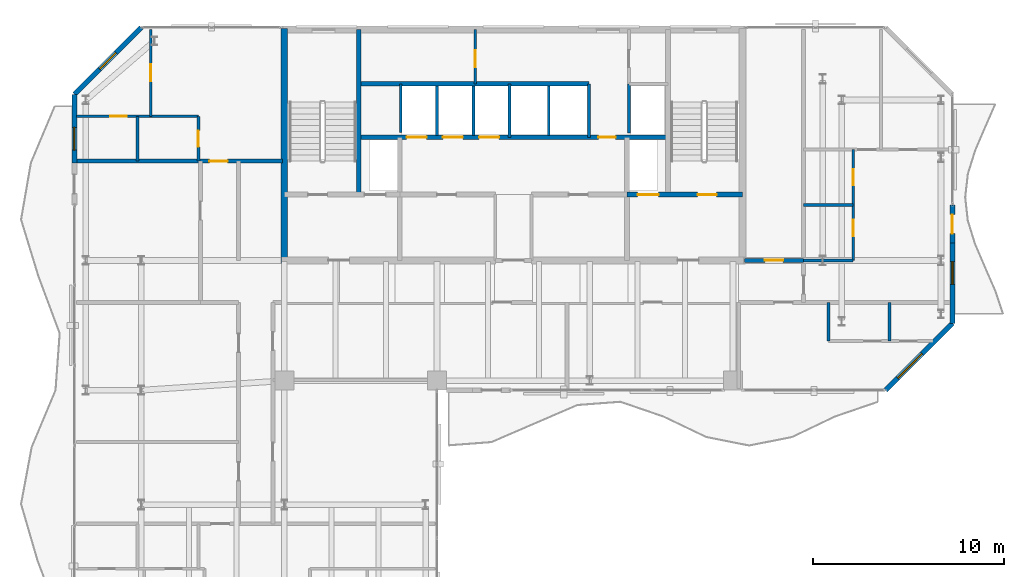
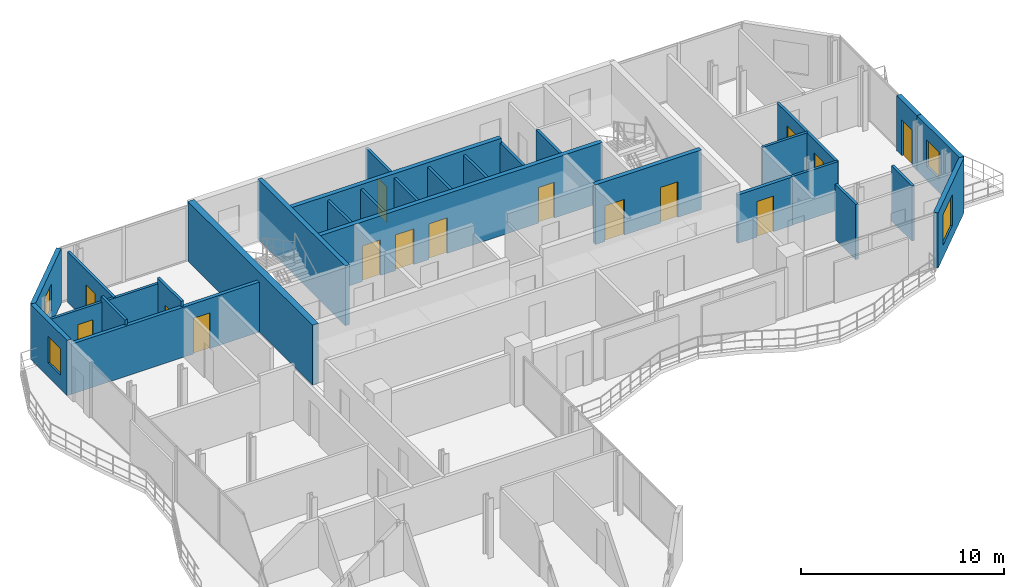
# One storey, part 19 of 23: 29 walls, 15 doors, 4 windows, 19 openings.
"""IFC4 building model written with IfcOpenShell, lengths in metres."""

from ifc_helpers import new_model, si_unit, direction, frame, frame_2d, origin, place, context, subcontext, project, spatial, rectangle, extrude, material, layer, layer_set, type_object, element, fill, save


model = new_model("IFC4")

# Units and contexts
model_context = context("Model", 3, precision=1e-05, world=origin(), true_north=direction((0.0, 1.0)))
body_context = subcontext(model_context, "Body", "Model", "MODEL_VIEW")
ifc_project = project(units=[si_unit("LENGTHUNIT", "METRE"), si_unit("AREAUNIT", "SQUARE_METRE"), si_unit("VOLUMEUNIT", "CUBIC_METRE"), si_unit("PLANEANGLEUNIT", "RADIAN"), si_unit("MASSUNIT", "GRAM", prefix="KILO")], contexts=[model_context])

# Site, building, storey
site_placement = place(None, origin())
site = spatial("IfcSite", under=ifc_project, at=site_placement, CompositionType="ELEMENT")
building_placement = place(site_placement, origin())
building = spatial("IfcBuilding", under=site, at=building_placement, Name="Catumbela Crestline Tower", CompositionType="ELEMENT")
storey_placement = place(building_placement, frame((0.0, 0.0, 197.4)))
storey = spatial("IfcBuildingStorey", under=building, at=storey_placement, Name="L51", CompositionType="ELEMENT", Elevation=197.4)

# Wall
ifc_material_1 = material(Name="Concrete C50/60", Category="concrete")
ifc_layer_1 = layer(ifc_material_1, 0.25, Name="Concrete C50/60")
ifc_layer_set_1 = layer_set([ifc_layer_1], Name="Concrete C50/60")
wall_type_1 = type_object("IfcWallType", Name="CW-250D", PredefinedType="SHEAR", material=ifc_layer_set_1)
wall_1_placement = place(storey_placement, frame((19.9, 34.25, 0.0), z_axis=(0.0, 0.0, 1.0), x_axis=(0.0, 1.0, 0.0)))
element("IfcWall", 1, at=wall_1_placement, inside=storey, type_object=wall_type_1, Name="L51 Structural Core Shear Wall WWEB", PredefinedType="SHEAR", context=body_context, shape_type="SweptSolid", body=[
    extrude(rectangle(XDim=8.65, YDim=0.25, at=frame_2d((4.325, 0.0))), origin(), (0.0, 0.0, 1.0), 3.6),
])

# Wall, openings, doors
wall_2_placement = place(storey_placement, frame((33.95, 34.25, 0.0), z_axis=(0.0, 0.0, 1.0), x_axis=(1.0, 0.0, 0.0)))
wall_2 = element("IfcWall", 2, at=wall_2_placement, inside=storey, type_object=wall_type_1, Name="L51 Structural Core Shear Wall ST2S", PredefinedType="SHEAR", context=body_context, shape_type="SweptSolid", body=[
    extrude(rectangle(XDim=6.05, YDim=0.25, at=frame_2d((3.025, 0.0))), origin(), (0.0, 0.0, 1.0), 3.6),
])
opening_1_placement = place(wall_2_placement, frame((3.7, 0.0, 0.0)))
opening_1 = element("IfcOpeningElement", 3, at=opening_1_placement, cuts=wall_2, Name="Opening DF9-100", PredefinedType="OPENING", context=body_context, shape_type="SweptSolid", body=[
    extrude(rectangle(XDim=1.0, YDim=2.15, at=frame_2d((0.5, 1.075))), frame((0.0, 0.135, 0.0), z_axis=(0.0, -1.0, 0.0), x_axis=(1.0, 0.0, 0.0)), (0.0, 0.0, 1.0), 0.27),
])
opening_2_placement = place(wall_2_placement, frame((0.55, 0.0, 0.0)))
opening_2 = element("IfcOpeningElement", 4, at=opening_2_placement, cuts=wall_2, Name="Opening LD-110", PredefinedType="OPENING", context=body_context, shape_type="SweptSolid", body=[
    extrude(rectangle(XDim=1.1, YDim=2.15, at=frame_2d((0.55, 1.075))), frame((0.0, 0.135, 0.0), z_axis=(0.0, -1.0, 0.0), x_axis=(1.0, 0.0, 0.0)), (0.0, 0.0, 1.0), 0.27),
])
ifc_material_2 = material(Name="Stainless steel EN 1.4401", Category="steel")
door_type_1 = type_object("IfcDoorType", Name="DF9-100", OperationType="NOTDEFINED", PredefinedType="DOOR", material=ifc_material_2)
door_1_placement = place(opening_1_placement, origin())
door_1 = element("IfcDoor", 5, at=door_1_placement, inside=storey, type_object=door_type_1, Name="L51 Interior Door DR-L51-ST02", OperationType="SINGLE_SWING_RIGHT", OverallHeight=2.15, OverallWidth=1.0, PredefinedType="DOOR", context=body_context, shape_type="SweptSolid", body=[
    extrude(rectangle(XDim=1.0, YDim=2.15, at=frame_2d((0.5, 1.075))), frame((0.0, 0.025, 0.0), z_axis=(0.0, -1.0, 0.0), x_axis=(1.0, 0.0, 0.0)), (0.0, 0.0, 1.0), 0.05),
])
fill(opening_1, door_1)
door_type_2 = type_object("IfcDoorType", Name="LD-110", OperationType="NOTDEFINED", PredefinedType="DOOR", material=ifc_material_2)
door_2_placement = place(opening_2_placement, origin())
door_2 = element("IfcDoor", 6, at=door_2_placement, inside=storey, type_object=door_type_2, Name="L51 Lift Landing Sliding Door FL-02", OperationType="DOUBLE_DOOR_SLIDING", OverallHeight=2.15, OverallWidth=1.1, PredefinedType="DOOR", context=body_context, shape_type="SweptSolid", body=[
    extrude(rectangle(XDim=1.1, YDim=2.15, at=frame_2d((0.55, 1.075))), frame((0.0, 0.025, 0.0), z_axis=(0.0, -1.0, 0.0), x_axis=(1.0, 0.0, 0.0)), (0.0, 0.0, 1.0), 0.05),
])
fill(opening_2, door_2)

wall_3_placement = place(storey_placement, frame((19.9, 37.25, 0.0), z_axis=(0.0, 0.0, 1.0), x_axis=(1.0, 0.0, 0.0)))
wall_3 = element("IfcWall", 7, at=wall_3_placement, inside=storey, type_object=wall_type_1, Name="L51 Structural Core Shear Wall LIFTN", PredefinedType="SHEAR", context=body_context, shape_type="SweptSolid", body=[
    extrude(rectangle(XDim=16.2, YDim=0.25, at=frame_2d((8.1, 0.0))), origin(), (0.0, 0.0, 1.0), 3.6),
])
opening_3_placement = place(wall_3_placement, frame((12.55, 0.0, 0.0)))
opening_3 = element("IfcOpeningElement", 8, at=opening_3_placement, cuts=wall_3, Name="Opening DF9-090", PredefinedType="OPENING", context=body_context, shape_type="SweptSolid", body=[
    extrude(rectangle(XDim=0.9, YDim=2.15, at=frame_2d((0.45, 1.075))), frame((0.0, 0.135, 0.0), z_axis=(0.0, -1.0, 0.0), x_axis=(1.0, 0.0, 0.0)), (0.0, 0.0, 1.0), 0.27),
])
opening_4_placement = place(wall_3_placement, frame((2.5, 0.0, 0.0)))
opening_4 = element("IfcOpeningElement", 9, at=opening_4_placement, cuts=wall_3, Name="Opening LD-105", PredefinedType="OPENING", context=body_context, shape_type="SweptSolid", body=[
    extrude(rectangle(XDim=1.05, YDim=2.15, at=frame_2d((0.525, 1.075))), frame((0.0, 0.135, 0.0), z_axis=(0.0, -1.0, 0.0), x_axis=(1.0, 0.0, 0.0)), (0.0, 0.0, 1.0), 0.27),
])
opening_5_placement = place(wall_3_placement, frame((4.4, 0.0, 0.0)))
opening_5 = element("IfcOpeningElement", 10, at=opening_5_placement, cuts=wall_3, Name="Opening LD-105", PredefinedType="OPENING", context=body_context, shape_type="SweptSolid", body=[
    extrude(rectangle(XDim=1.05, YDim=2.15, at=frame_2d((0.525, 1.075))), frame((0.0, 0.135, 0.0), z_axis=(0.0, -1.0, 0.0), x_axis=(1.0, 0.0, 0.0)), (0.0, 0.0, 1.0), 0.27),
])
opening_6_placement = place(wall_3_placement, frame((6.3, 0.0, 0.0)))
opening_6 = element("IfcOpeningElement", 11, at=opening_6_placement, cuts=wall_3, Name="Opening LD-105", PredefinedType="OPENING", context=body_context, shape_type="SweptSolid", body=[
    extrude(rectangle(XDim=1.05, YDim=2.15, at=frame_2d((0.525, 1.075))), frame((0.0, 0.135, 0.0), z_axis=(0.0, -1.0, 0.0), x_axis=(1.0, 0.0, 0.0)), (0.0, 0.0, 1.0), 0.27),
])
door_type_3 = type_object("IfcDoorType", Name="DF9-090", OperationType="NOTDEFINED", PredefinedType="DOOR", material=ifc_material_2)
door_3_placement = place(opening_3_placement, origin())
door_3 = element("IfcDoor", 12, at=door_3_placement, inside=storey, type_object=door_type_3, Name="L51 Interior Door DR-L51-CPAS1", OperationType="SINGLE_SWING_LEFT", OverallHeight=2.15, OverallWidth=0.9, PredefinedType="DOOR", context=body_context, shape_type="SweptSolid", body=[
    extrude(rectangle(XDim=0.9, YDim=2.15, at=frame_2d((0.45, 1.075))), frame((0.0, 0.025, 0.0), z_axis=(0.0, -1.0, 0.0), x_axis=(1.0, 0.0, 0.0)), (0.0, 0.0, 1.0), 0.05),
])
fill(opening_3, door_3)
door_type_4 = type_object("IfcDoorType", Name="LD-105", OperationType="NOTDEFINED", PredefinedType="DOOR", material=ifc_material_2)
door_4_placement = place(opening_4_placement, origin())
door_4 = element("IfcDoor", 13, at=door_4_placement, inside=storey, type_object=door_type_4, Name="L51 Lift Landing Sliding Door PL-H1", OperationType="DOUBLE_DOOR_SLIDING", OverallHeight=2.15, OverallWidth=1.05, PredefinedType="DOOR", context=body_context, shape_type="SweptSolid", body=[
    extrude(rectangle(XDim=1.05, YDim=2.15, at=frame_2d((0.525, 1.075))), frame((0.0, 0.025, 0.0), z_axis=(0.0, -1.0, 0.0), x_axis=(1.0, 0.0, 0.0)), (0.0, 0.0, 1.0), 0.05),
])
fill(opening_4, door_4)
door_5_placement = place(opening_5_placement, origin())
door_5 = element("IfcDoor", 14, at=door_5_placement, inside=storey, type_object=door_type_4, Name="L51 Lift Landing Sliding Door PL-H2", OperationType="DOUBLE_DOOR_SLIDING", OverallHeight=2.15, OverallWidth=1.05, PredefinedType="DOOR", context=body_context, shape_type="SweptSolid", body=[
    extrude(rectangle(XDim=1.05, YDim=2.15, at=frame_2d((0.525, 1.075))), frame((0.0, 0.025, 0.0), z_axis=(0.0, -1.0, 0.0), x_axis=(1.0, 0.0, 0.0)), (0.0, 0.0, 1.0), 0.05),
])
fill(opening_5, door_5)
door_6_placement = place(opening_6_placement, origin())
door_6 = element("IfcDoor", 15, at=door_6_placement, inside=storey, type_object=door_type_4, Name="L51 Lift Landing Sliding Door PL-H3", OperationType="DOUBLE_DOOR_SLIDING", OverallHeight=2.15, OverallWidth=1.05, PredefinedType="DOOR", context=body_context, shape_type="SweptSolid", body=[
    extrude(rectangle(XDim=1.05, YDim=2.15, at=frame_2d((0.525, 1.075))), frame((0.0, 0.025, 0.0), z_axis=(0.0, -1.0, 0.0), x_axis=(1.0, 0.0, 0.0)), (0.0, 0.0, 1.0), 0.05),
])
fill(opening_6, door_6)

# Walls
wall_4_placement = place(storey_placement, frame((19.9, 40.05, 0.0), z_axis=(0.0, 0.0, 1.0), x_axis=(1.0, 0.0, 0.0)))
element("IfcWall", 16, at=wall_4_placement, inside=storey, type_object=wall_type_1, Name="L51 Structural Core Shear Wall COREN", PredefinedType="SHEAR", context=body_context, shape_type="SweptSolid", body=[
    extrude(rectangle(XDim=12.05, YDim=0.25, at=frame_2d((6.025, 0.0))), origin(), (0.0, 0.0, 1.0), 3.6),
])
ifc_layer_2 = layer(ifc_material_1, 0.35, Name="Concrete C50/60")
ifc_layer_set_2 = layer_set([ifc_layer_2], Name="Concrete C50/60")
wall_type_2 = type_object("IfcWallType", Name="CW-350B", PredefinedType="SHEAR", material=ifc_layer_set_2)
wall_5_placement = place(storey_placement, frame((16.0, 30.65, 0.0), z_axis=(0.0, 0.0, 1.0), x_axis=(0.0, 1.0, 0.0)))
element("IfcWall", 17, at=wall_5_placement, inside=storey, type_object=wall_type_2, Name="L51 Structural Core Shear Wall W", PredefinedType="SHEAR", context=body_context, shape_type="SweptSolid", body=[
    extrude(rectangle(XDim=12.3, YDim=0.35, at=frame_2d((6.15, 0.0))), origin(), (0.0, 0.0, 1.0), 3.6),
])

# Wall, opening, door
ifc_material_3 = material(Name="Acoustic gypsum and mineral-wool partition")
ifc_layer_3 = layer(ifc_material_3, 0.2, Name="Acoustic gypsum and mineral-wool partition")
ifc_layer_set_3 = layer_set([ifc_layer_3], Name="Acoustic gypsum and mineral-wool partition")
wall_type_3 = type_object("IfcWallType", Name="WC-200", PredefinedType="PARTITIONING", material=ifc_layer_set_3)
wall_6_placement = place(storey_placement, frame((5.1, 36.0, 0.0), z_axis=(0.0, 0.0, 1.0), x_axis=(1.0, 0.0, 0.0)))
wall_6 = element("IfcWall", 18, at=wall_6_placement, inside=storey, type_object=wall_type_3, Name="L51 Interior Partition PW-L51-NW1-ENT", PredefinedType="PARTITIONING", context=body_context, shape_type="SweptSolid", body=[
    extrude(rectangle(XDim=10.8, YDim=0.2, at=frame_2d((5.4, 0.0))), origin(), (0.0, 0.0, 1.0), 3.02),
])
opening_7_placement = place(wall_6_placement, frame((6.975, 0.0, 0.0)))
opening_7 = element("IfcOpeningElement", 19, at=opening_7_placement, cuts=wall_6, Name="Opening DF6-095", PredefinedType="OPENING", context=body_context, shape_type="SweptSolid", body=[
    extrude(rectangle(XDim=0.95, YDim=2.15, at=frame_2d((0.475, 1.075))), frame((0.0, 0.11, 0.0), z_axis=(0.0, -1.0, 0.0), x_axis=(1.0, 0.0, 0.0)), (0.0, 0.0, 1.0), 0.22),
])
ifc_material_4 = material(Name="Aluminium alloy AW-6060-T66", Category="aluminium")
door_type_5 = type_object("IfcDoorType", Name="DF6-095", OperationType="NOTDEFINED", PredefinedType="DOOR", material=ifc_material_4)
door_7_placement = place(opening_7_placement, origin())
door_7 = element("IfcDoor", 20, at=door_7_placement, inside=storey, type_object=door_type_5, Name="L51 Interior Door DR-L51-NW1-ENT", OperationType="SINGLE_SWING_LEFT", OverallHeight=2.15, OverallWidth=0.95, PredefinedType="DOOR", context=body_context, shape_type="SweptSolid", body=[
    extrude(rectangle(XDim=0.95, YDim=2.15, at=frame_2d((0.475, 1.075))), frame((0.0, 0.025, 0.0), z_axis=(0.0, -1.0, 0.0), x_axis=(1.0, 0.0, 0.0)), (0.0, 0.0, 1.0), 0.05),
])
fill(opening_7, door_7)

wall_7_placement = place(storey_placement, frame((40.1, 30.8, 0.0), z_axis=(0.0, 0.0, 1.0), x_axis=(1.0, 0.0, 0.0)))
wall_7 = element("IfcWall", 21, at=wall_7_placement, inside=storey, type_object=wall_type_3, Name="L51 Interior Partition PW-L51-NERM-ENT", PredefinedType="PARTITIONING", context=body_context, shape_type="SweptSolid", body=[
    extrude(rectangle(XDim=3.1, YDim=0.2, at=frame_2d((1.55, 0.0))), origin(), (0.0, 0.0, 1.0), 2.92),
])
opening_8_placement = place(wall_7_placement, frame((1.075, 0.0, 0.0)))
opening_8 = element("IfcOpeningElement", 22, at=opening_8_placement, cuts=wall_7, Name="Opening DF6-095", PredefinedType="OPENING", context=body_context, shape_type="SweptSolid", body=[
    extrude(rectangle(XDim=0.95, YDim=2.15, at=frame_2d((0.475, 1.075))), frame((0.0, 0.11, 0.0), z_axis=(0.0, -1.0, 0.0), x_axis=(1.0, 0.0, 0.0)), (0.0, 0.0, 1.0), 0.22),
])
door_8_placement = place(opening_8_placement, origin())
door_8 = element("IfcDoor", 23, at=door_8_placement, inside=storey, type_object=door_type_5, Name="L51 Interior Door DR-L51-NERM-ENT", OperationType="SINGLE_SWING_LEFT", OverallHeight=2.15, OverallWidth=0.95, PredefinedType="DOOR", context=body_context, shape_type="SweptSolid", body=[
    extrude(rectangle(XDim=0.95, YDim=2.15, at=frame_2d((0.475, 1.075))), frame((0.0, 0.025, 0.0), z_axis=(0.0, -1.0, 0.0), x_axis=(1.0, 0.0, 0.0)), (0.0, 0.0, 1.0), 0.05),
])
fill(opening_8, door_8)

# Wall, opening, window
ifc_material_5 = material(Name="Angolan grey-ochre granite", Category="masonry")
ifc_layer_4 = layer(ifc_material_5, 0.25, Name="Angolan grey-ochre granite")
ifc_layer_set_4 = layer_set([ifc_layer_4], Name="Angolan grey-ochre granite")
wall_type_4 = type_object("IfcWallType", Name="WE-250", PredefinedType="STANDARD", material=ifc_layer_set_4)
wall_8_placement = place(storey_placement, frame((47.5, 24.0, 0.0), z_axis=(0.0, 0.0, 1.0), x_axis=(0.707106781187, 0.707106781187, 0.0)))
wall_8 = element("IfcWall", 24, at=wall_8_placement, inside=storey, type_object=wall_type_4, Name="L51 Granite Punched Window Wall 4-1", PredefinedType="STANDARD", context=body_context, shape_type="SweptSolid", body=[
    extrude(rectangle(XDim=4.9497, YDim=0.25, at=frame_2d((2.4748, 0.0))), origin(), (0.0, 0.0, 1.0), 3.33),
])
opening_9_placement = place(wall_8_placement, frame((0.8962, 0.0, 0.75)))
opening_9 = element("IfcOpeningElement", 25, at=opening_9_placement, cuts=wall_8, Name="Opening WN-01", PredefinedType="OPENING", context=body_context, shape_type="SweptSolid", body=[
    extrude(rectangle(XDim=1.8, YDim=1.85, at=frame_2d((0.9, 0.925))), frame((0.0, 0.135, 0.0), z_axis=(0.0, -1.0, 0.0), x_axis=(1.0, 0.0, 0.0)), (0.0, 0.0, 1.0), 0.27),
])
ifc_material_6 = material(Name="Low-E laminated solar-control double glazing", Category="glass")
window_type_1 = type_object("IfcWindowType", Name="WF-1800", PartitioningType="SINGLE_PANEL", PredefinedType="WINDOW", material=ifc_material_6)
window_1_placement = place(opening_9_placement, origin())
window_1 = element("IfcWindow", 26, at=window_1_placement, inside=storey, type_object=window_type_1, Name="L51 Facade Vision Window 339", OverallHeight=1.85, OverallWidth=1.8, PartitioningType="SINGLE_PANEL", PredefinedType="WINDOW", context=body_context, shape_type="SweptSolid", body=[
    extrude(rectangle(XDim=1.8, YDim=1.85, at=frame_2d((0.9, 0.925))), frame((0.0, 0.03, 0.0), z_axis=(0.0, -1.0, 0.0), x_axis=(1.0, 0.0, 0.0)), (0.0, 0.0, 1.0), 0.06),
])
fill(opening_9, window_1)

# Wall, opening, door
wall_9_placement = place(storey_placement, frame((51.0, 31.7, 0.0), z_axis=(0.0, 0.0, 1.0), x_axis=(0.0, 1.0, 0.0)))
wall_9 = element("IfcWall", 27, at=wall_9_placement, inside=storey, type_object=wall_type_4, Name="L51 Exterior Threshold Portal Wall DR-L51-WBAL-2", PredefinedType="STANDARD", context=body_context, shape_type="SweptSolid", body=[
    extrude(rectangle(XDim=2.0, YDim=0.25, at=frame_2d((1.0, 0.0))), origin(), (0.0, 0.0, 1.0), 3.33),
])
opening_10_placement = place(wall_9_placement, frame((0.5, 0.0, 0.0)))
opening_10 = element("IfcOpeningElement", 28, at=opening_10_placement, cuts=wall_9, Name="Opening DB-L51-2", PredefinedType="OPENING", context=body_context, shape_type="SweptSolid", body=[
    extrude(rectangle(XDim=1.0, YDim=2.15, at=frame_2d((0.5, 1.075))), frame((0.0, 0.135, 0.0), z_axis=(0.0, -1.0, 0.0), x_axis=(1.0, 0.0, 0.0)), (0.0, 0.0, 1.0), 0.27),
])
door_type_6 = type_object("IfcDoorType", Name="DB-1000", OperationType="NOTDEFINED", PredefinedType="DOOR", material=ifc_material_4)
door_9_placement = place(opening_10_placement, origin())
door_9 = element("IfcDoor", 29, at=door_9_placement, inside=storey, type_object=door_type_6, Name="L51 Wave Balcony Terrace Door 2", OperationType="SINGLE_SWING_RIGHT", OverallHeight=2.15, OverallWidth=1.0, PredefinedType="DOOR", context=body_context, shape_type="SweptSolid", body=[
    extrude(rectangle(XDim=1.0, YDim=2.15, at=frame_2d((0.5, 1.075))), frame((0.0, 0.025, 0.0), z_axis=(0.0, -1.0, 0.0), x_axis=(1.0, 0.0, 0.0)), (0.0, 0.0, 1.0), 0.05),
])
fill(opening_10, door_9)

# Wall, opening, window
wall_10_placement = place(storey_placement, frame((51.0, 27.5, 0.0), z_axis=(0.0, 0.0, 1.0), x_axis=(0.0, 1.0, 0.0)))
wall_10 = element("IfcWall", 30, at=wall_10_placement, inside=storey, type_object=wall_type_4, Name="L51 Granite Punched Window Wall 5-1", PredefinedType="STANDARD", context=body_context, shape_type="SweptSolid", body=[
    extrude(rectangle(XDim=4.2, YDim=0.25, at=frame_2d((2.1, 0.0))), origin(), (0.0, 0.0, 1.0), 3.33),
])
opening_11_placement = place(wall_10_placement, frame((2.04, 0.0, 0.85)))
opening_11 = element("IfcOpeningElement", 31, at=opening_11_placement, cuts=wall_10, Name="Opening WN-02", PredefinedType="OPENING", context=body_context, shape_type="SweptSolid", body=[
    extrude(rectangle(XDim=1.2, YDim=1.6, at=frame_2d((0.6, 0.8))), frame((0.0, 0.135, 0.0), z_axis=(0.0, -1.0, 0.0), x_axis=(1.0, 0.0, 0.0)), (0.0, 0.0, 1.0), 0.27),
])
window_type_2 = type_object("IfcWindowType", Name="WO-1200", PartitioningType="SINGLE_PANEL", PredefinedType="WINDOW", material=ifc_material_6)
window_2_placement = place(opening_11_placement, origin())
window_2 = element("IfcWindow", 32, at=window_2_placement, inside=storey, type_object=window_type_2, Name="L51 Facade Vision Window 340", OverallHeight=1.6, OverallWidth=1.2, PartitioningType="SINGLE_PANEL", PredefinedType="WINDOW", context=body_context, shape_type="SweptSolid", body=[
    extrude(rectangle(XDim=1.2, YDim=1.6, at=frame_2d((0.6, 0.8))), frame((0.0, 0.03, 0.0), z_axis=(0.0, -1.0, 0.0), x_axis=(1.0, 0.0, 0.0)), (0.0, 0.0, 1.0), 0.06),
])
fill(opening_11, window_2)

wall_11_placement = place(storey_placement, frame((8.5, 43.0, 0.0), z_axis=(0.0, 0.0, 1.0), x_axis=(-0.707106781187, -0.707106781187, 0.0)))
wall_11 = element("IfcWall", 33, at=wall_11_placement, inside=storey, type_object=wall_type_4, Name="L51 Granite Punched Window Wall 8-1", PredefinedType="STANDARD", context=body_context, shape_type="SweptSolid", body=[
    extrude(rectangle(XDim=4.9497, YDim=0.25, at=frame_2d((2.4748, 0.0))), origin(), (0.0, 0.0, 1.0), 3.33),
])
opening_12_placement = place(wall_11_placement, frame((1.8748, 0.0, 0.85)))
opening_12 = element("IfcOpeningElement", 34, at=opening_12_placement, cuts=wall_11, Name="Opening WN-02", PredefinedType="OPENING", context=body_context, shape_type="SweptSolid", body=[
    extrude(rectangle(XDim=1.2, YDim=1.6, at=frame_2d((0.6, 0.8))), frame((0.0, 0.135, 0.0), z_axis=(0.0, -1.0, 0.0), x_axis=(1.0, 0.0, 0.0)), (0.0, 0.0, 1.0), 0.27),
])
window_3_placement = place(opening_12_placement, origin())
window_3 = element("IfcWindow", 35, at=window_3_placement, inside=storey, type_object=window_type_2, Name="L51 Facade Vision Window 342", OverallHeight=1.6, OverallWidth=1.2, PartitioningType="SINGLE_PANEL", PredefinedType="WINDOW", context=body_context, shape_type="SweptSolid", body=[
    extrude(rectangle(XDim=1.2, YDim=1.6, at=frame_2d((0.6, 0.8))), frame((0.0, 0.03, 0.0), z_axis=(0.0, -1.0, 0.0), x_axis=(1.0, 0.0, 0.0)), (0.0, 0.0, 1.0), 0.06),
])
fill(opening_12, window_3)

wall_12_placement = place(storey_placement, frame((5.0, 39.5, 0.0), z_axis=(0.0, 0.0, 1.0), x_axis=(0.0, -1.0, 0.0)))
wall_12 = element("IfcWall", 36, at=wall_12_placement, inside=storey, type_object=wall_type_4, Name="L51 Granite Punched Window Wall 9-1", PredefinedType="STANDARD", context=body_context, shape_type="SweptSolid", body=[
    extrude(rectangle(XDim=3.6, YDim=0.25, at=frame_2d((1.8, 0.0))), origin(), (0.0, 0.0, 1.0), 3.33),
])
opening_13_placement = place(wall_12_placement, frame((1.725, 0.0, 0.85)))
opening_13 = element("IfcOpeningElement", 37, at=opening_13_placement, cuts=wall_12, Name="Opening WN-02", PredefinedType="OPENING", context=body_context, shape_type="SweptSolid", body=[
    extrude(rectangle(XDim=1.2, YDim=1.6, at=frame_2d((0.6, 0.8))), frame((0.0, 0.135, 0.0), z_axis=(0.0, -1.0, 0.0), x_axis=(1.0, 0.0, 0.0)), (0.0, 0.0, 1.0), 0.27),
])
window_4_placement = place(opening_13_placement, origin())
window_4 = element("IfcWindow", 38, at=window_4_placement, inside=storey, type_object=window_type_2, Name="L51 Facade Vision Window 343", OverallHeight=1.6, OverallWidth=1.2, PartitioningType="SINGLE_PANEL", PredefinedType="WINDOW", context=body_context, shape_type="SweptSolid", body=[
    extrude(rectangle(XDim=1.2, YDim=1.6, at=frame_2d((0.6, 0.8))), frame((0.0, 0.03, 0.0), z_axis=(0.0, -1.0, 0.0), x_axis=(1.0, 0.0, 0.0)), (0.0, 0.0, 1.0), 0.06),
])
fill(opening_13, window_4)

# Wall, opening, door
ifc_layer_5 = layer(ifc_material_3, 0.15, Name="Acoustic gypsum and mineral-wool partition")
ifc_layer_set_5 = layer_set([ifc_layer_5], Name="Acoustic gypsum and mineral-wool partition")
wall_type_5 = type_object("IfcWallType", Name="WP-150", PredefinedType="PARTITIONING", material=ifc_layer_set_5)
wall_13_placement = place(storey_placement, frame((26.0, 40.05, 0.0), z_axis=(0.0, 0.0, 1.0), x_axis=(0.0, 1.0, 0.0)))
wall_13 = element("IfcWall", 39, at=wall_13_placement, inside=storey, type_object=wall_type_5, Name="L51 Interior Partition PW-L51-CR-WW", PredefinedType="PARTITIONING", context=body_context, shape_type="SweptSolid", body=[
    extrude(rectangle(XDim=2.85, YDim=0.15, at=frame_2d((1.425, 0.0))), origin(), (0.0, 0.0, 1.0), 3.33),
])
opening_14_placement = place(wall_13_placement, frame((0.865, 0.0, 0.0)))
opening_14 = element("IfcOpeningElement", 40, at=opening_14_placement, cuts=wall_13, Name="Opening DF9-090", PredefinedType="OPENING", context=body_context, shape_type="SweptSolid", body=[
    extrude(rectangle(XDim=0.9, YDim=2.15, at=frame_2d((0.45, 1.075))), frame((0.0, 0.085, 0.0), z_axis=(0.0, -1.0, 0.0), x_axis=(1.0, 0.0, 0.0)), (0.0, 0.0, 1.0), 0.17),
])
door_10_placement = place(opening_14_placement, origin())
door_10 = element("IfcDoor", 41, at=door_10_placement, inside=storey, type_object=door_type_3, Name="L51 Interior Door DR-L51-CRWEST", OperationType="SINGLE_SWING_LEFT", OverallHeight=2.15, OverallWidth=0.9, PredefinedType="DOOR", context=body_context, shape_type="SweptSolid", body=[
    extrude(rectangle(XDim=0.9, YDim=2.15, at=frame_2d((0.45, 1.075))), frame((0.0, 0.025, 0.0), z_axis=(0.0, -1.0, 0.0), x_axis=(1.0, 0.0, 0.0)), (0.0, 0.0, 1.0), 0.05),
])
fill(opening_14, door_10)

wall_14_placement = place(storey_placement, frame((11.5, 36.0, 0.0), z_axis=(0.0, 0.0, 1.0), x_axis=(0.0, 1.0, 0.0)))
wall_14 = element("IfcWall", 42, at=wall_14_placement, inside=storey, type_object=wall_type_5, Name="L51 Interior Partition PW-L51-NW1-KBE", PredefinedType="PARTITIONING", context=body_context, shape_type="SweptSolid", body=[
    extrude(rectangle(XDim=2.35, YDim=0.15, at=frame_2d((1.175, 0.0))), origin(), (0.0, 0.0, 1.0), 3.33),
])
opening_15_placement = place(wall_14_placement, frame((0.75, 0.0, 0.0)))
opening_15 = element("IfcOpeningElement", 43, at=opening_15_placement, cuts=wall_14, Name="Opening DI-085", PredefinedType="OPENING", context=body_context, shape_type="SweptSolid", body=[
    extrude(rectangle(XDim=0.85, YDim=2.15, at=frame_2d((0.425, 1.075))), frame((0.0, 0.085, 0.0), z_axis=(0.0, -1.0, 0.0), x_axis=(1.0, 0.0, 0.0)), (0.0, 0.0, 1.0), 0.17),
])
door_type_7 = type_object("IfcDoorType", Name="DI-085", OperationType="NOTDEFINED", PredefinedType="DOOR", material=ifc_material_4)
door_11_placement = place(opening_15_placement, origin())
door_11 = element("IfcDoor", 44, at=door_11_placement, inside=storey, type_object=door_type_7, Name="L51 Interior Door DR-L51-NW1-BTH", OperationType="SINGLE_SWING_LEFT", OverallHeight=2.15, OverallWidth=0.85, PredefinedType="DOOR", context=body_context, shape_type="SweptSolid", body=[
    extrude(rectangle(XDim=0.85, YDim=2.15, at=frame_2d((0.425, 1.075))), frame((0.0, 0.025, 0.0), z_axis=(0.0, -1.0, 0.0), x_axis=(1.0, 0.0, 0.0)), (0.0, 0.0, 1.0), 0.05),
])
fill(opening_15, door_11)

# Wall
wall_15_placement = place(storey_placement, frame((8.3, 36.0, 0.0), z_axis=(0.0, 0.0, 1.0), x_axis=(0.0, 1.0, 0.0)))
element("IfcWall", 45, at=wall_15_placement, inside=storey, type_object=wall_type_5, Name="L51 Interior Partition PW-L51-NW1-KBM", PredefinedType="PARTITIONING", context=body_context, shape_type="SweptSolid", body=[
    extrude(rectangle(XDim=2.35, YDim=0.15, at=frame_2d((1.175, 0.0))), origin(), (0.0, 0.0, 1.0), 3.33),
])

# Wall, opening, door
wall_16_placement = place(storey_placement, frame((5.1, 38.35, 0.0), z_axis=(0.0, 0.0, 1.0), x_axis=(1.0, 0.0, 0.0)))
wall_16 = element("IfcWall", 46, at=wall_16_placement, inside=storey, type_object=wall_type_5, Name="L51 Interior Partition PW-L51-NW1-KBD1", PredefinedType="PARTITIONING", context=body_context, shape_type="SweptSolid", body=[
    extrude(rectangle(XDim=6.4, YDim=0.15, at=frame_2d((3.2, 0.0))), origin(), (0.0, 0.0, 1.0), 3.02),
])
opening_16_placement = place(wall_16_placement, frame((1.7795, 0.0, 0.0)))
opening_16 = element("IfcOpeningElement", 47, at=opening_16_placement, cuts=wall_16, Name="Opening DI-085", PredefinedType="OPENING", context=body_context, shape_type="SweptSolid", body=[
    extrude(rectangle(XDim=0.85, YDim=2.15, at=frame_2d((0.425, 1.075))), frame((0.0, 0.085, 0.0), z_axis=(0.0, -1.0, 0.0), x_axis=(1.0, 0.0, 0.0)), (0.0, 0.0, 1.0), 0.17),
])
door_12_placement = place(opening_16_placement, origin())
door_12 = element("IfcDoor", 48, at=door_12_placement, inside=storey, type_object=door_type_7, Name="L51 Interior Door DR-L51-NW1-KIT", OperationType="SINGLE_SWING_RIGHT", OverallHeight=2.15, OverallWidth=0.85, PredefinedType="DOOR", context=body_context, shape_type="SweptSolid", body=[
    extrude(rectangle(XDim=0.85, YDim=2.15, at=frame_2d((0.425, 1.075))), frame((0.0, 0.025, 0.0), z_axis=(0.0, -1.0, 0.0), x_axis=(1.0, 0.0, 0.0)), (0.0, 0.0, 1.0), 0.05),
])
fill(opening_16, door_12)

wall_17_placement = place(storey_placement, frame((9.0, 38.35, 0.0), z_axis=(0.0, 0.0, 1.0), x_axis=(0.0, 1.0, 0.0)))
wall_17 = element("IfcWall", 49, at=wall_17_placement, inside=storey, type_object=wall_type_5, Name="L51 Interior Partition PW-L51-NW1-BD1W", PredefinedType="PARTITIONING", context=body_context, shape_type="SweptSolid", body=[
    extrude(rectangle(XDim=4.55, YDim=0.15, at=frame_2d((2.275, 0.0))), origin(), (0.0, 0.0, 1.0), 3.02),
])
opening_17_placement = place(wall_17_placement, frame((1.825, 0.0, 0.0)))
opening_17 = element("IfcOpeningElement", 50, at=opening_17_placement, cuts=wall_17, Name="Opening DI-090", PredefinedType="OPENING", context=body_context, shape_type="SweptSolid", body=[
    extrude(rectangle(XDim=0.9, YDim=2.15, at=frame_2d((0.45, 1.075))), frame((0.0, 0.085, 0.0), z_axis=(0.0, -1.0, 0.0), x_axis=(1.0, 0.0, 0.0)), (0.0, 0.0, 1.0), 0.17),
])
door_type_8 = type_object("IfcDoorType", Name="DI-090", OperationType="NOTDEFINED", PredefinedType="DOOR", material=ifc_material_4)
door_13_placement = place(opening_17_placement, origin())
door_13 = element("IfcDoor", 51, at=door_13_placement, inside=storey, type_object=door_type_8, Name="L51 Interior Door DR-L51-NW1-BD1", OperationType="SINGLE_SWING_LEFT", OverallHeight=2.15, OverallWidth=0.9, PredefinedType="DOOR", context=body_context, shape_type="SweptSolid", body=[
    extrude(rectangle(XDim=0.9, YDim=2.15, at=frame_2d((0.45, 1.075))), frame((0.0, 0.025, 0.0), z_axis=(0.0, -1.0, 0.0), x_axis=(1.0, 0.0, 0.0)), (0.0, 0.0, 1.0), 0.05),
])
fill(opening_17, door_13)

# Walls
for number, where, z_axis, x_axis, name in (
    (52, (43.2, 30.8, 0.0), (0.0, 0.0, 1.0), (1.0, 0.0, 0.0), "L51 Interior Partition PW-L51-NE1-KBS"),
    (53, (43.2, 33.704, 0.0), (0.0, 0.0, 1.0), (1.0, 0.0, 0.0), "L51 Interior Partition PW-L51-NE1-KBM"),
):
    element("IfcWall", number, at=place(storey_placement, frame(where, z_axis=z_axis, x_axis=x_axis)), inside=storey, type_object=wall_type_5, Name=name, PredefinedType="PARTITIONING", context=body_context, shape_type="SweptSolid", body=[
        extrude(rectangle(XDim=2.6, YDim=0.15, at=frame_2d((1.3, 0.0))), origin(), (0.0, 0.0, 1.0), 2.92),
    ])

# Wall, openings, doors
wall_18_placement = place(storey_placement, frame((45.8, 30.8, 0.0), z_axis=(0.0, 0.0, 1.0), x_axis=(0.0, 1.0, 0.0)))
wall_18 = element("IfcWall", 54, at=wall_18_placement, inside=storey, type_object=wall_type_5, Name="L51 Interior Partition PW-L51-NE1-LK", PredefinedType="PARTITIONING", context=body_context, shape_type="SweptSolid", body=[
    extrude(rectangle(XDim=5.808, YDim=0.15, at=frame_2d((2.904, 0.0))), origin(), (0.0, 0.0, 1.0), 2.92),
])
opening_18_placement = place(wall_18_placement, frame((1.2737, 0.0, 0.0)))
opening_18 = element("IfcOpeningElement", 55, at=opening_18_placement, cuts=wall_18, Name="Opening DI-085", PredefinedType="OPENING", context=body_context, shape_type="SweptSolid", body=[
    extrude(rectangle(XDim=0.85, YDim=2.15, at=frame_2d((0.425, 1.075))), frame((0.0, 0.085, 0.0), z_axis=(0.0, -1.0, 0.0), x_axis=(1.0, 0.0, 0.0)), (0.0, 0.0, 1.0), 0.17),
])
opening_19_placement = place(wall_18_placement, frame((3.931, 0.0, 0.0)))
opening_19 = element("IfcOpeningElement", 56, at=opening_19_placement, cuts=wall_18, Name="Opening DI-085", PredefinedType="OPENING", context=body_context, shape_type="SweptSolid", body=[
    extrude(rectangle(XDim=0.85, YDim=2.15, at=frame_2d((0.425, 1.075))), frame((0.0, 0.085, 0.0), z_axis=(0.0, -1.0, 0.0), x_axis=(1.0, 0.0, 0.0)), (0.0, 0.0, 1.0), 0.17),
])
door_14_placement = place(opening_18_placement, origin())
door_14 = element("IfcDoor", 57, at=door_14_placement, inside=storey, type_object=door_type_7, Name="L51 Interior Door DR-L51-NE1-KIT", OperationType="SINGLE_SWING_LEFT", OverallHeight=2.15, OverallWidth=0.85, PredefinedType="DOOR", context=body_context, shape_type="SweptSolid", body=[
    extrude(rectangle(XDim=0.85, YDim=2.15, at=frame_2d((0.425, 1.075))), frame((0.0, 0.025, 0.0), z_axis=(0.0, -1.0, 0.0), x_axis=(1.0, 0.0, 0.0)), (0.0, 0.0, 1.0), 0.05),
])
fill(opening_18, door_14)
door_15_placement = place(opening_19_placement, origin())
door_15 = element("IfcDoor", 58, at=door_15_placement, inside=storey, type_object=door_type_7, Name="L51 Interior Door DR-L51-NE1-BTH", OperationType="SINGLE_SWING_RIGHT", OverallHeight=2.15, OverallWidth=0.85, PredefinedType="DOOR", context=body_context, shape_type="SweptSolid", body=[
    extrude(rectangle(XDim=0.85, YDim=2.15, at=frame_2d((0.425, 1.075))), frame((0.0, 0.025, 0.0), z_axis=(0.0, -1.0, 0.0), x_axis=(1.0, 0.0, 0.0)), (0.0, 0.0, 1.0), 0.05),
])
fill(opening_19, door_15)

# Walls
for number, where, z_axis, x_axis, name in (
    (59, (44.5, 26.576, 0.0), (0.0, 0.0, 1.0), (0.0, 1.0, 0.0), "L51 Interior Partition PW-L51-S3-KBW"),
    (60, (47.7, 26.576, 0.0), (0.0, 0.0, 1.0), (0.0, 1.0, 0.0), "L51 Interior Partition PW-L51-S3-KBM"),
):
    element("IfcWall", number, at=place(storey_placement, frame(where, z_axis=z_axis, x_axis=x_axis)), inside=storey, type_object=wall_type_5, Name=name, PredefinedType="PARTITIONING", context=body_context, shape_type="SweptSolid", body=[
        extrude(rectangle(XDim=2.024, YDim=0.15, at=frame_2d((1.012, 0.0))), origin(), (0.0, 0.0, 1.0), 3.33),
    ])
ifc_layer_6 = layer(ifc_material_3, 0.15, Name="Acoustic gypsum and mineral-wool partition")
ifc_layer_set_6 = layer_set([ifc_layer_6], Name="Acoustic gypsum and mineral-wool partition")
wall_type_6 = type_object("IfcWallType", Name="WS-150", PredefinedType="PLUMBINGWALL", material=ifc_layer_set_6)
wall_19_placement = place(storey_placement, frame((22.1, 37.4897, 0.0), z_axis=(0.0, 0.0, 1.0), x_axis=(0.0, 1.0, 0.0)))
element("IfcWall", 61, at=wall_19_placement, inside=storey, type_object=wall_type_6, Name="L51 Interior Partition PW-L51-SHH0", PredefinedType="PLUMBINGWALL", context=body_context, shape_type="SweptSolid", body=[
    extrude(rectangle(XDim=2.5603, YDim=0.15, at=frame_2d((1.2801, 0.0))), origin(), (0.0, 0.0, 1.0), 3.33),
])
wall_20_placement = place(storey_placement, frame((27.8, 37.25, 0.0), z_axis=(0.0, 0.0, 1.0), x_axis=(0.0, 1.0, 0.0)))
element("IfcWall", 62, at=wall_20_placement, inside=storey, type_object=wall_type_6, Name="L51 Interior Partition PW-L51-SHH3", PredefinedType="PLUMBINGWALL", context=body_context, shape_type="SweptSolid", body=[
    extrude(rectangle(XDim=2.8, YDim=0.15, at=frame_2d((1.4, 0.0))), origin(), (0.0, 0.0, 1.0), 3.33),
])
for number, where, z_axis, x_axis, name in (
    (63, (24.0, 37.35, 0.0), (0.0, 0.0, 1.0), (0.0, 1.0, 0.0), "L51 Interior Partition PW-L51-SHH1"),
    (64, (25.9, 37.35, 0.0), (0.0, 0.0, 1.0), (0.0, 1.0, 0.0), "L51 Interior Partition PW-L51-SHH2"),
):
    element("IfcWall", number, at=place(storey_placement, frame(where, z_axis=z_axis, x_axis=x_axis)), inside=storey, type_object=wall_type_6, Name=name, PredefinedType="PLUMBINGWALL", context=body_context, shape_type="SweptSolid", body=[
        extrude(rectangle(XDim=2.6, YDim=0.15, at=frame_2d((1.3, 0.0))), origin(), (0.0, 0.0, 1.0), 3.33),
    ])
wall_21_placement = place(storey_placement, frame((31.95, 37.25, 0.0), z_axis=(0.0, 0.0, 1.0), x_axis=(0.0, 1.0, 0.0)))
element("IfcWall", 65, at=wall_21_placement, inside=storey, type_object=wall_type_6, Name="L51 Interior Partition PW-L51-SHEX2E", PredefinedType="PLUMBINGWALL", context=body_context, shape_type="SweptSolid", body=[
    extrude(rectangle(XDim=2.8, YDim=0.15, at=frame_2d((1.4, 0.0))), origin(), (0.0, 0.0, 1.0), 3.33),
])
wall_22_placement = place(storey_placement, frame((29.85, 37.35, 0.0), z_axis=(0.0, 0.0, 1.0), x_axis=(0.0, 1.0, 0.0)))
element("IfcWall", 66, at=wall_22_placement, inside=storey, type_object=wall_type_6, Name="L51 Interior Partition PW-L51-SHEX1", PredefinedType="PLUMBINGWALL", context=body_context, shape_type="SweptSolid", body=[
    extrude(rectangle(XDim=2.6, YDim=0.15, at=frame_2d((1.3, 0.0))), origin(), (0.0, 0.0, 1.0), 3.33),
])
wall_23_placement = place(storey_placement, frame((34.05, 37.4734, 0.0), z_axis=(0.0, 0.0, 1.0), x_axis=(0.0, 1.0, 0.0)))
element("IfcWall", 67, at=wall_23_placement, inside=storey, type_object=wall_type_6, Name="L51 Interior Partition PW-L51-RISW", PredefinedType="PLUMBINGWALL", context=body_context, shape_type="SweptSolid", body=[
    extrude(rectangle(XDim=2.5766, YDim=0.15, at=frame_2d((1.2883, 0.0))), origin(), (0.0, 0.0, 1.0), 3.33),
])

save(model, "model.ifc")
